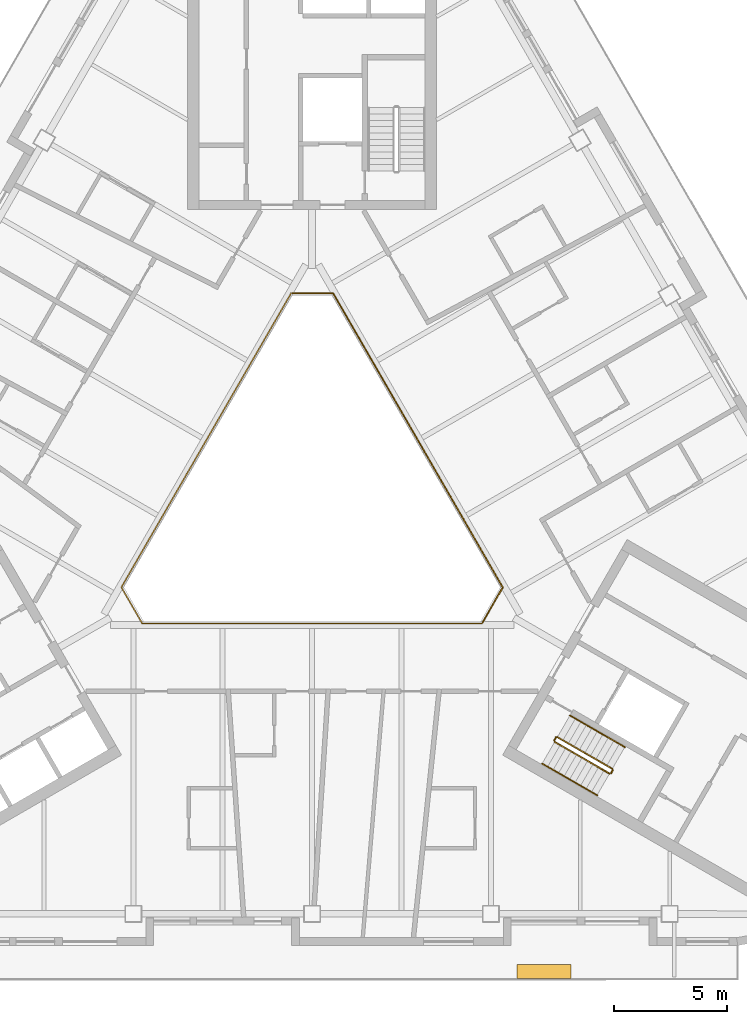
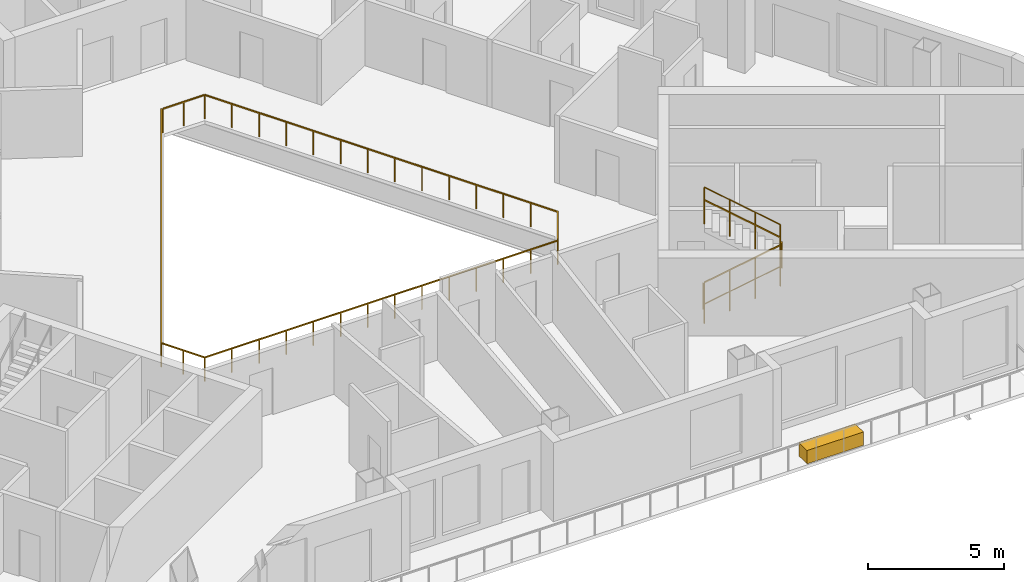
# One storey, part 12 of 14: 8 railings, 1 covering.
"""IFC4 building model written with IfcOpenShell, lengths in metres."""

from ifc_helpers import new_model, si_unit, direction, frame, origin, origin_2d, place, context, subcontext, project, spatial, rectangle, circle, extrude, material, type_object, element, save


model = new_model("IFC4")

# Units and contexts
model_context = context("Model", 3, precision=1e-05, world=origin(), true_north=direction((0.0, 1.0)))
body_context = subcontext(model_context, "Body", "Model", "MODEL_VIEW")
ifc_project = project(units=[si_unit("LENGTHUNIT", "METRE"), si_unit("AREAUNIT", "SQUARE_METRE"), si_unit("VOLUMEUNIT", "CUBIC_METRE"), si_unit("PLANEANGLEUNIT", "RADIAN"), si_unit("MASSUNIT", "GRAM", prefix="KILO")], contexts=[model_context])

# Site, building, storey
site_placement = place(None, origin())
site = spatial("IfcSite", under=ifc_project, at=site_placement, CompositionType="ELEMENT")
building_placement = place(site_placement, origin())
building = spatial("IfcBuilding", under=site, at=building_placement, Name="Apuvela Tower Hotel", CompositionType="ELEMENT")
storey_placement = place(building_placement, frame((0.0, 0.0, 205.800048828125)))
storey = spatial("IfcBuildingStorey", under=building, at=storey_placement, Name="L50", CompositionType="ELEMENT", Elevation=205.800048828125)

# Railings
ifc_material_1 = material(Name="Steel S275 balustrade", Category="steel")
railing_type_1 = type_object("IfcRailingType", Name="COR-GUARD-1100", PredefinedType="GUARDRAIL", material=ifc_material_1)
railing_1_placement = place(storey_placement, frame((10.718994140625, -10.63427734375, 0.168212890625)))
element("IfcRailing", 1, at=railing_1_placement, inside=storey, type_object=railing_type_1, Name="L50 ST3 stair guard 1", PredefinedType="GUARDRAIL", context=body_context, shape_type="SweptSolid", body=[
    extrude(rectangle(XDim=0.048095703125, YDim=0.048095703125, at=origin_2d()), frame((0.0, 0.0, 1.076171875), z_axis=(0.74241905619, -0.428617687091, 0.514879426), x_axis=(0.49998411664, 0.866034573852, 0.0)), (0.0, 0.0, 1.0), 3.26611328125),
    extrude(rectangle(XDim=0.0419921875, YDim=0.0419921875, at=origin_2d()), origin(), (0.0, 0.0, 1.0), 1.052001953125),
    extrude(rectangle(XDim=0.0419921875, YDim=0.0419921875, at=origin_2d()), frame((0.808349609375, -0.466552734375, 0.560546875)), (0.0, 0.0, 1.0), 1.052001953125),
    extrude(rectangle(XDim=0.0419921875, YDim=0.0419921875, at=origin_2d()), frame((1.616455078125, -0.933349609375, 1.12109375)), (0.0, 0.0, 1.0), 1.052001953125),
    extrude(rectangle(XDim=0.0419921875, YDim=0.0419921875, at=origin_2d()), frame((2.4248046875, -1.39990234375, 1.681640625)), (0.0, 0.0, 1.0), 1.052001953125),
])
railing_2_placement = place(storey_placement, frame((13.212158203125, -12.015869140625, 1.849853515625)))
element("IfcRailing", 2, at=railing_2_placement, inside=storey, type_object=railing_type_1, Name="L50 ST3 stair guard 2", PredefinedType="GUARDRAIL", context=body_context, shape_type="SweptSolid", body=[
    extrude(rectangle(XDim=0.048095703125, YDim=0.048095703125, at=origin_2d()), frame((0.0, 0.0, 1.076171875), z_axis=(0.499816412211, 0.866131372301, 0.0), x_axis=(-0.866131372301, 0.499816412211, 0.0)), (0.0, 0.0, 1.0), 0.14990234375),
    extrude(rectangle(XDim=0.0419921875, YDim=0.0419921875, at=origin_2d()), origin(), (0.0, 0.0, 1.0), 1.052001953125),
    extrude(rectangle(XDim=0.0419921875, YDim=0.0419921875, at=origin_2d()), frame((0.074951171875, 0.1298828125, 0.0)), (0.0, 0.0, 1.0), 1.052001953125),
])
railing_3_placement = place(storey_placement, frame((13.268798828125, -11.817626953125, 2.01806640625)))
element("IfcRailing", 3, at=railing_3_placement, inside=storey, type_object=railing_type_1, Name="L50 ST3 stair guard 3", PredefinedType="GUARDRAIL", context=body_context, shape_type="SweptSolid", body=[
    extrude(rectangle(XDim=0.048095703125, YDim=0.048095703125, at=origin_2d()), frame((0.0, 0.0, 1.076171875), z_axis=(-0.742390482028, 0.42860119049, 0.514934356695), x_axis=(-0.49998411664, -0.866034573852, 0.0)), (0.0, 0.0, 1.0), 3.26611328125),
    extrude(rectangle(XDim=0.0419921875, YDim=0.0419921875, at=origin_2d()), origin(), (0.0, 0.0, 1.0), 1.052001953125),
    extrude(rectangle(XDim=0.0419921875, YDim=0.0419921875, at=origin_2d()), frame((-0.808349609375, 0.466552734375, 0.560546875)), (0.0, 0.0, 1.0), 1.052001953125),
    extrude(rectangle(XDim=0.0419921875, YDim=0.0419921875, at=origin_2d()), frame((-1.616455078125, 0.933349609375, 1.121337890625)), (0.0, 0.0, 1.0), 1.052001953125),
    extrude(rectangle(XDim=0.0419921875, YDim=0.0419921875, at=origin_2d()), frame((-2.4248046875, 1.39990234375, 1.681884765625)), (0.0, 0.0, 1.0), 1.052001953125),
])
railing_4_placement = place(storey_placement, frame((10.70068359375, -10.56591796875, 0.0)))
element("IfcRailing", 4, at=railing_4_placement, inside=storey, type_object=railing_type_1, Name="L50 ST3 stair guard 4", PredefinedType="GUARDRAIL", context=body_context, shape_type="SweptSolid", body=[
    extrude(rectangle(XDim=0.048095703125, YDim=0.048095703125, at=origin_2d()), frame((0.0, 0.0, 1.076171875), z_axis=(0.499816412211, 0.866131372301, 0.0), x_axis=(-0.866131372301, 0.499816412211, 0.0)), (0.0, 0.0, 1.0), 0.14990234375),
    extrude(rectangle(XDim=0.0419921875, YDim=0.0419921875, at=origin_2d()), origin(), (0.0, 0.0, 1.0), 1.052001953125),
    extrude(rectangle(XDim=0.0419921875, YDim=0.0419921875, at=origin_2d()), frame((0.074951171875, 0.1298828125, 0.0)), (0.0, 0.0, 1.0), 1.052001953125),
])
ifc_material_2 = material(Name="Stainless steel 316 handrail", Category="steel")
railing_type_2 = type_object("IfcRailingType", Name="COR-HANDRAIL-900", PredefinedType="HANDRAIL", material=ifc_material_2)
railing_5_placement = place(storey_placement, frame((10.1689453125, -11.5869140625, 0.168212890625)))
element("IfcRailing", 5, at=railing_5_placement, inside=storey, type_object=railing_type_2, Name="L50 ST3 stair handrail 1", PredefinedType="HANDRAIL", context=body_context, shape_type="SweptSolid", body=[
    extrude(circle(Radius=0.02392578125, at=origin_2d()), frame((0.0, 0.0, 0.8759765625), z_axis=(0.74241905619, -0.428617687091, 0.514879426), x_axis=(0.49998411664, 0.866034573852, 0.0)), (0.0, 0.0, 1.0), 3.26611328125),
    extrude(rectangle(XDim=0.0419921875, YDim=0.0419921875, at=origin_2d()), origin(), (0.0, 0.0, 1.0), 0.851806640625),
    extrude(rectangle(XDim=0.0419921875, YDim=0.0419921875, at=origin_2d()), frame((0.808349609375, -0.466552734375, 0.560546875)), (0.0, 0.0, 1.0), 0.851806640625),
    extrude(rectangle(XDim=0.0419921875, YDim=0.0419921875, at=origin_2d()), frame((1.616455078125, -0.933349609375, 1.12109375)), (0.0, 0.0, 1.0), 0.851806640625),
    extrude(rectangle(XDim=0.0419921875, YDim=0.0419921875, at=origin_2d()), frame((2.4248046875, -1.39990234375, 1.681640625)), (0.0, 0.0, 1.0), 0.851806640625),
])
railing_6_placement = place(storey_placement, frame((13.81884765625, -10.864990234375, 2.01806640625)))
element("IfcRailing", 6, at=railing_6_placement, inside=storey, type_object=railing_type_2, Name="L50 ST3 stair handrail 2", PredefinedType="HANDRAIL", context=body_context, shape_type="SweptSolid", body=[
    extrude(circle(Radius=0.02392578125, at=origin_2d()), frame((0.0, 0.0, 0.8759765625), z_axis=(-0.742390482028, 0.42860119049, 0.514934356695), x_axis=(-0.49998411664, -0.866034573852, 0.0)), (0.0, 0.0, 1.0), 3.26611328125),
    extrude(rectangle(XDim=0.0419921875, YDim=0.0419921875, at=origin_2d()), origin(), (0.0, 0.0, 1.0), 0.851806640625),
    extrude(rectangle(XDim=0.0419921875, YDim=0.0419921875, at=origin_2d()), frame((-0.808349609375, 0.466552734375, 0.560546875)), (0.0, 0.0, 1.0), 0.851806640625),
    extrude(rectangle(XDim=0.0419921875, YDim=0.0419921875, at=origin_2d()), frame((-1.616455078125, 0.933349609375, 1.121337890625)), (0.0, 0.0, 1.0), 0.851806640625),
    extrude(rectangle(XDim=0.0419921875, YDim=0.0419921875, at=origin_2d()), frame((-2.4248046875, 1.39990234375, 1.681884765625)), (0.0, 0.0, 1.0), 0.851806640625),
])
ifc_material_3 = material(Name="Stainless steel 316 rail with laminated glass infill", Category="steel")
railing_type_3 = type_object("IfcRailingType", Name="ENV-GUARD-1100", PredefinedType="GUARDRAIL", material=ifc_material_3)
railing_7_placement = place(storey_placement, frame((-0.923828125, 9.199951171875, 0.0)))
element("IfcRailing", 7, at=railing_7_placement, inside=storey, type_object=railing_type_3, Name="Atrium void guard A L50", PredefinedType="GUARDRAIL", context=body_context, shape_type="SweptSolid", body=[
    extrude(rectangle(XDim=0.050048828125, YDim=0.050048828125, at=origin_2d()), frame((0.0, 0.0, 1.0751953125), z_axis=(-0.499990886379, -0.866030665472, 0.0), x_axis=(0.866030665472, -0.499990886379, 0.0)), (0.0, 0.0, 1.0), 15.010986328125),
    extrude(rectangle(XDim=0.050048828125, YDim=0.050048828125, at=origin_2d()), frame((-7.50537109375, -13.0, 1.0751953125), z_axis=(0.499962699187, -0.866046938348, 0.0), x_axis=(0.866046938348, 0.499962699187, 0.0)), (0.0, 0.0, 1.0), 1.847412109375),
    extrude(rectangle(XDim=0.050048828125, YDim=0.050048828125, at=origin_2d()), frame((-6.581787109375, -14.599853515625, 1.0751953125), z_axis=(1.0, 0.0, 0.0), x_axis=(0.0, 1.0, 0.0)), (0.0, 0.0, 1.0), 15.01123046875),
    extrude(rectangle(XDim=0.0400390625, YDim=0.0400390625, at=origin_2d()), origin(), (0.0, 0.0, 1.0), 1.050048828125),
    extrude(rectangle(XDim=0.0400390625, YDim=0.0400390625, at=origin_2d()), frame((-0.577392578125, -1.0, 0.0)), (0.0, 0.0, 1.0), 1.050048828125),
    extrude(rectangle(XDim=0.0400390625, YDim=0.0400390625, at=origin_2d()), frame((-1.15478515625, -2.0, 0.0)), (0.0, 0.0, 1.0), 1.050048828125),
    extrude(rectangle(XDim=0.0400390625, YDim=0.0400390625, at=origin_2d()), frame((-1.73193359375, -3.0, 0.0)), (0.0, 0.0, 1.0), 1.050048828125),
    extrude(rectangle(XDim=0.0400390625, YDim=0.0400390625, at=origin_2d()), frame((-2.309326171875, -4.0, 0.0)), (0.0, 0.0, 1.0), 1.050048828125),
    extrude(rectangle(XDim=0.0400390625, YDim=0.0400390625, at=origin_2d()), frame((-2.88671875, -5.0, 0.0)), (0.0, 0.0, 1.0), 1.050048828125),
    extrude(rectangle(XDim=0.0400390625, YDim=0.0400390625, at=origin_2d()), frame((-3.464111328125, -6.0, 0.0)), (0.0, 0.0, 1.0), 1.050048828125),
    extrude(rectangle(XDim=0.0400390625, YDim=0.0400390625, at=origin_2d()), frame((-4.041259765625, -7.0, 0.0)), (0.0, 0.0, 1.0), 1.050048828125),
    extrude(rectangle(XDim=0.0400390625, YDim=0.0400390625, at=origin_2d()), frame((-4.61865234375, -8.0, 0.0)), (0.0, 0.0, 1.0), 1.050048828125),
    extrude(rectangle(XDim=0.0400390625, YDim=0.0400390625, at=origin_2d()), frame((-5.196044921875, -9.0, 0.0)), (0.0, 0.0, 1.0), 1.050048828125),
    extrude(rectangle(XDim=0.0400390625, YDim=0.0400390625, at=origin_2d()), frame((-5.7734375, -10.0, 0.0)), (0.0, 0.0, 1.0), 1.050048828125),
    extrude(rectangle(XDim=0.0400390625, YDim=0.0400390625, at=origin_2d()), frame((-6.3505859375, -11.0, 0.0)), (0.0, 0.0, 1.0), 1.050048828125),
    extrude(rectangle(XDim=0.0400390625, YDim=0.0400390625, at=origin_2d()), frame((-6.927978515625, -12.0, 0.0)), (0.0, 0.0, 1.0), 1.050048828125),
    extrude(rectangle(XDim=0.0400390625, YDim=0.0400390625, at=origin_2d()), frame((-7.50537109375, -13.0, 0.0)), (0.0, 0.0, 1.0), 1.050048828125),
    extrude(rectangle(XDim=0.0400390625, YDim=0.0400390625, at=origin_2d()), frame((-7.04345703125, -13.7998046875, 0.0)), (0.0, 0.0, 1.0), 1.050048828125),
    extrude(rectangle(XDim=0.0400390625, YDim=0.0400390625, at=origin_2d()), frame((-6.581787109375, -14.599853515625, 0.0)), (0.0, 0.0, 1.0), 1.050048828125),
    extrude(rectangle(XDim=0.0400390625, YDim=0.0400390625, at=origin_2d()), frame((-5.427001953125, -14.599853515625, 0.0)), (0.0, 0.0, 1.0), 1.050048828125),
    extrude(rectangle(XDim=0.0400390625, YDim=0.0400390625, at=origin_2d()), frame((-4.2724609375, -14.599853515625, 0.0)), (0.0, 0.0, 1.0), 1.050048828125),
    extrude(rectangle(XDim=0.0400390625, YDim=0.0400390625, at=origin_2d()), frame((-3.11767578125, -14.599853515625, 0.0)), (0.0, 0.0, 1.0), 1.050048828125),
    extrude(rectangle(XDim=0.0400390625, YDim=0.0400390625, at=origin_2d()), frame((-1.962890625, -14.599853515625, 0.0)), (0.0, 0.0, 1.0), 1.050048828125),
    extrude(rectangle(XDim=0.0400390625, YDim=0.0400390625, at=origin_2d()), frame((-0.808349609375, -14.599853515625, 0.0)), (0.0, 0.0, 1.0), 1.050048828125),
    extrude(rectangle(XDim=0.0400390625, YDim=0.0400390625, at=origin_2d()), frame((0.346435546875, -14.599853515625, 0.0)), (0.0, 0.0, 1.0), 1.050048828125),
    extrude(rectangle(XDim=0.0400390625, YDim=0.0400390625, at=origin_2d()), frame((1.501220703125, -14.599853515625, 0.0)), (0.0, 0.0, 1.0), 1.050048828125),
    extrude(rectangle(XDim=0.0400390625, YDim=0.0400390625, at=origin_2d()), frame((2.656005859375, -14.599853515625, 0.0)), (0.0, 0.0, 1.0), 1.050048828125),
    extrude(rectangle(XDim=0.0400390625, YDim=0.0400390625, at=origin_2d()), frame((3.810546875, -14.599853515625, 0.0)), (0.0, 0.0, 1.0), 1.050048828125),
    extrude(rectangle(XDim=0.0400390625, YDim=0.0400390625, at=origin_2d()), frame((4.96533203125, -14.599853515625, 0.0)), (0.0, 0.0, 1.0), 1.050048828125),
    extrude(rectangle(XDim=0.0400390625, YDim=0.0400390625, at=origin_2d()), frame((6.1201171875, -14.599853515625, 0.0)), (0.0, 0.0, 1.0), 1.050048828125),
    extrude(rectangle(XDim=0.0400390625, YDim=0.0400390625, at=origin_2d()), frame((7.274658203125, -14.599853515625, 0.0)), (0.0, 0.0, 1.0), 1.050048828125),
    extrude(rectangle(XDim=0.0400390625, YDim=0.0400390625, at=origin_2d()), frame((8.429443359375, -14.599853515625, 0.0)), (0.0, 0.0, 1.0), 1.050048828125),
])
railing_8_placement = place(storey_placement, frame((7.53564453125, -5.347900390625, 0.0)))
element("IfcRailing", 8, at=railing_8_placement, inside=storey, type_object=railing_type_3, Name="Atrium void guard B L50", PredefinedType="GUARDRAIL", context=body_context, shape_type="SweptSolid", body=[
    extrude(rectangle(XDim=0.050048828125, YDim=0.050048828125, at=origin_2d()), frame((0.0, 0.0, 1.0751953125), z_axis=(0.499958946799, 0.866049104564, 0.0), x_axis=(-0.866049104564, 0.499958946799, 0.0)), (0.0, 0.0, 1.0), 1.787353515625),
    extrude(rectangle(XDim=0.050048828125, YDim=0.050048828125, at=origin_2d()), frame((0.8935546875, 1.5478515625, 1.0751953125), z_axis=(-0.499990886379, 0.866030665472, 0.0), x_axis=(-0.866030665472, -0.499990886379, 0.0)), (0.0, 0.0, 1.0), 15.010986328125),
    extrude(rectangle(XDim=0.050048828125, YDim=0.050048828125, at=origin_2d()), frame((-6.61181640625, 14.5478515625, 1.0751953125), z_axis=(-1.0, 0.0, 0.0), x_axis=(0.0, -1.0, 0.0)), (0.0, 0.0, 1.0), 1.78759765625),
    extrude(rectangle(XDim=0.0400390625, YDim=0.0400390625, at=origin_2d()), origin(), (0.0, 0.0, 1.0), 1.050048828125),
    extrude(rectangle(XDim=0.0400390625, YDim=0.0400390625, at=origin_2d()), frame((0.44677734375, 0.77392578125, 0.0)), (0.0, 0.0, 1.0), 1.050048828125),
    extrude(rectangle(XDim=0.0400390625, YDim=0.0400390625, at=origin_2d()), frame((0.8935546875, 1.5478515625, 0.0)), (0.0, 0.0, 1.0), 1.050048828125),
    extrude(rectangle(XDim=0.0400390625, YDim=0.0400390625, at=origin_2d()), frame((0.316162109375, 2.5478515625, 0.0)), (0.0, 0.0, 1.0), 1.050048828125),
    extrude(rectangle(XDim=0.0400390625, YDim=0.0400390625, at=origin_2d()), frame((-0.26123046875, 3.5478515625, 0.0)), (0.0, 0.0, 1.0), 1.050048828125),
    extrude(rectangle(XDim=0.0400390625, YDim=0.0400390625, at=origin_2d()), frame((-0.83837890625, 4.5478515625, 0.0)), (0.0, 0.0, 1.0), 1.050048828125),
    extrude(rectangle(XDim=0.0400390625, YDim=0.0400390625, at=origin_2d()), frame((-1.415771484375, 5.5478515625, 0.0)), (0.0, 0.0, 1.0), 1.050048828125),
    extrude(rectangle(XDim=0.0400390625, YDim=0.0400390625, at=origin_2d()), frame((-1.9931640625, 6.5478515625, 0.0)), (0.0, 0.0, 1.0), 1.050048828125),
    extrude(rectangle(XDim=0.0400390625, YDim=0.0400390625, at=origin_2d()), frame((-2.570556640625, 7.5478515625, 0.0)), (0.0, 0.0, 1.0), 1.050048828125),
    extrude(rectangle(XDim=0.0400390625, YDim=0.0400390625, at=origin_2d()), frame((-3.147705078125, 8.5478515625, 0.0)), (0.0, 0.0, 1.0), 1.050048828125),
    extrude(rectangle(XDim=0.0400390625, YDim=0.0400390625, at=origin_2d()), frame((-3.72509765625, 9.5478515625, 0.0)), (0.0, 0.0, 1.0), 1.050048828125),
    extrude(rectangle(XDim=0.0400390625, YDim=0.0400390625, at=origin_2d()), frame((-4.302490234375, 10.5478515625, 0.0)), (0.0, 0.0, 1.0), 1.050048828125),
    extrude(rectangle(XDim=0.0400390625, YDim=0.0400390625, at=origin_2d()), frame((-4.8798828125, 11.5478515625, 0.0)), (0.0, 0.0, 1.0), 1.050048828125),
    extrude(rectangle(XDim=0.0400390625, YDim=0.0400390625, at=origin_2d()), frame((-5.45703125, 12.5478515625, 0.0)), (0.0, 0.0, 1.0), 1.050048828125),
    extrude(rectangle(XDim=0.0400390625, YDim=0.0400390625, at=origin_2d()), frame((-6.034423828125, 13.5478515625, 0.0)), (0.0, 0.0, 1.0), 1.050048828125),
    extrude(rectangle(XDim=0.0400390625, YDim=0.0400390625, at=origin_2d()), frame((-6.61181640625, 14.5478515625, 0.0)), (0.0, 0.0, 1.0), 1.050048828125),
    extrude(rectangle(XDim=0.0400390625, YDim=0.0400390625, at=origin_2d()), frame((-7.505615234375, 14.5478515625, 0.0)), (0.0, 0.0, 1.0), 1.050048828125),
    extrude(rectangle(XDim=0.0400390625, YDim=0.0400390625, at=origin_2d()), frame((-8.3994140625, 14.5478515625, 0.0)), (0.0, 0.0, 1.0), 1.050048828125),
])

# Covering
ifc_material_4 = material(Name="Planting substrate and soil, planted")
covering_type = type_object("IfcCoveringType", Name="ENV-PLANTER-2400x600", PredefinedType="USERDEFINED", material=ifc_material_4)
covering_placement = place(storey_placement, frame((10.250244140625, -20.780029296875, 0.0), z_axis=(0.0, 0.0, 1.0), x_axis=(1.0, 0.0, 0.0)))
element("IfcCovering", 9, at=covering_placement, inside=storey, type_object=covering_type, Name="Planter S2", ObjectType="PLANTER", PredefinedType="USERDEFINED", context=body_context, shape_type="SweptSolid", body=[
    extrude(rectangle(XDim=2.39990234375, YDim=0.60009765625, at=origin_2d()), origin(), (0.0, 0.0, 1.0), 0.60009765625),
])

save(model, "model.ifc")
